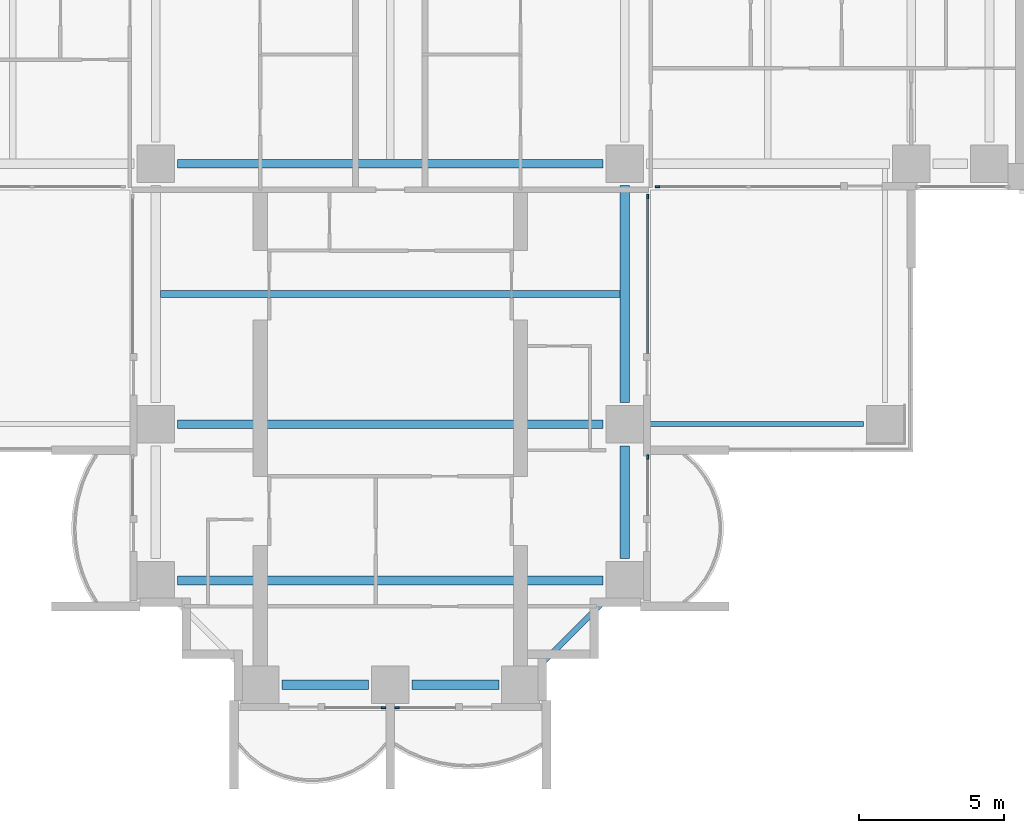
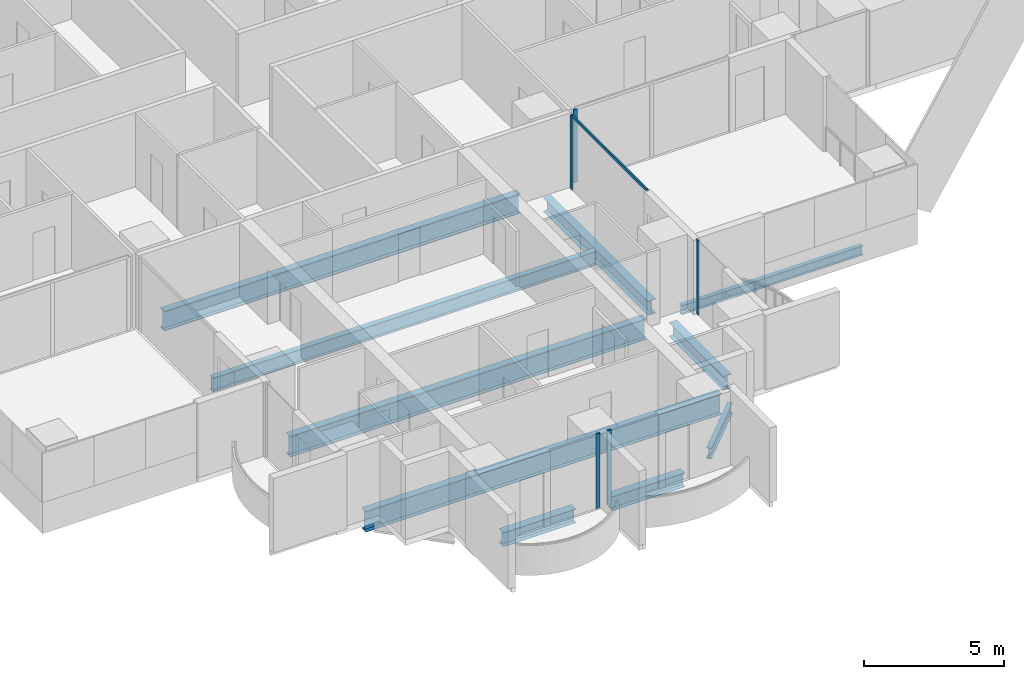
# One storey, part 3 of 23: 10 beams, 6 members, 5 elements without a shape of their own.
"""IFC4 building model written with IfcOpenShell, lengths in metres."""

from ifc_helpers import new_model, si_unit, direction, frame, origin, origin_2d, place, context, subcontext, project, spatial, rectangle, i_section, extrude, material, material_profile, profile_set, type_object, element, aggregate, save


model = new_model("IFC4")

# Units and contexts
model_context = context("Model", 3, precision=1e-05, world=origin(), true_north=direction((0.0, 1.0)))
body_context = subcontext(model_context, "Body", "Model", "MODEL_VIEW")
ifc_project = project(units=[si_unit("LENGTHUNIT", "METRE"), si_unit("AREAUNIT", "SQUARE_METRE"), si_unit("VOLUMEUNIT", "CUBIC_METRE"), si_unit("PLANEANGLEUNIT", "RADIAN"), si_unit("MASSUNIT", "GRAM", prefix="KILO")], contexts=[model_context])

# Site, building, storey
site_placement = place(None, origin())
site = spatial("IfcSite", under=ifc_project, at=site_placement, CompositionType="ELEMENT")
building_placement = place(site_placement, origin())
building = spatial("IfcBuilding", under=site, at=building_placement, Name="Perihelion Cross Residences", CompositionType="ELEMENT")
storey_placement = place(building_placement, frame((0.0, 0.0, 36.5)))
storey = spatial("IfcBuildingStorey", under=building, at=storey_placement, Name="L05", CompositionType="ELEMENT", Elevation=36.5)

# Curtain wall, member
ifc_material_1 = material(Name="Bronze anodised aluminium, tinted glazing", Category="aluminium")
curtain_wall_type = type_object("IfcCurtainWallType", Name="CW1", PredefinedType="NOTDEFINED", material=ifc_material_1)
curtain_wall_1_placement = place(storey_placement, origin())
curtain_wall_1 = element("IfcCurtainWall", 1, at=curtain_wall_1_placement, inside=storey, type_object=curtain_wall_type, Name="Curtain wall CW1 L05 south tip south bay 1", PredefinedType="NOTDEFINED")
ifc_material_2 = material(Name="Bronze anodised aluminium", Category="aluminium")
ifc_material_profile_1 = material_profile(ifc_material_2, rectangle(XDim=0.06005859375, YDim=0.159912109375, at=origin_2d()), Name="CW1 mullion")
ifc_profile_set_1 = profile_set([ifc_material_profile_1], Name="Bronze anodised aluminium")
member_type_1 = type_object("IfcMemberType", Name="CW1 mullion", PredefinedType="MULLION", material=ifc_profile_set_1)
member_1_placement = place(storey_placement, frame((-0.22998046875, -26.89990234375, 0.0), z_axis=(0.0, 0.0, 1.0), x_axis=(0.0, 1.0, 0.0)))
member_1 = element("IfcMember", 2, at=member_1_placement, type_object=member_type_1, Name="CW1 mullion 2", PredefinedType="MULLION", context=body_context, shape_type="SweptSolid", body=[
    extrude(rectangle(XDim=0.06005859375, YDim=0.159912109375, at=origin_2d()), origin(), (0.0, 0.0, 1.0), 3.25),
])
aggregate(curtain_wall_1, [member_1])

curtain_wall_2_placement = place(storey_placement, origin())
curtain_wall_2 = element("IfcCurtainWall", 3, at=curtain_wall_2_placement, inside=storey, type_object=curtain_wall_type, Name="Curtain wall CW1 L05 south tip south bay 2", PredefinedType="NOTDEFINED")
member_2_placement = place(storey_placement, frame((0.22998046875, -26.89990234375, 0.0), z_axis=(0.0, 0.0, 1.0), x_axis=(0.0, 1.0, 0.0)))
member_2 = element("IfcMember", 4, at=member_2_placement, type_object=member_type_1, Name="CW1 mullion 1", PredefinedType="MULLION", context=body_context, shape_type="SweptSolid", body=[
    extrude(rectangle(XDim=0.06005859375, YDim=0.159912109375, at=origin_2d()), origin(), (0.0, 0.0, 1.0), 3.25),
])
aggregate(curtain_wall_2, [member_2])

curtain_wall_3_placement = place(storey_placement, origin())
curtain_wall_3 = element("IfcCurtainWall", 5, at=curtain_wall_3_placement, inside=storey, type_object=curtain_wall_type, Name="Curtain wall CW1 L05 south side east bay 1", PredefinedType="NOTDEFINED")
member_3_placement = place(storey_placement, frame((8.89990234375, -18.22998046875, 0.0), z_axis=(0.0, 0.0, 1.0), x_axis=(-1.0, 0.0, 0.0)))
member_3 = element("IfcMember", 6, at=member_3_placement, type_object=member_type_1, Name="CW1 mullion 2", PredefinedType="MULLION", context=body_context, shape_type="SweptSolid", body=[
    extrude(rectangle(XDim=0.06005859375, YDim=0.159912109375, at=origin_2d()), origin(), (0.0, 0.0, 1.0), 3.25),
])
aggregate(curtain_wall_3, [member_3])

curtain_wall_4_placement = place(storey_placement, origin())
curtain_wall_4 = element("IfcCurtainWall", 7, at=curtain_wall_4_placement, inside=storey, type_object=curtain_wall_type, Name="Curtain wall CW1 L05 south side east bay 2", PredefinedType="NOTDEFINED")
member_4_placement = place(storey_placement, frame((8.89990234375, -9.22998046875, 0.0), z_axis=(0.0, 0.0, 1.0), x_axis=(-1.0, 0.0, 0.0)))
member_4 = element("IfcMember", 8, at=member_4_placement, type_object=member_type_1, Name="CW1 mullion 2", PredefinedType="MULLION", context=body_context, shape_type="SweptSolid", body=[
    extrude(rectangle(XDim=0.06005859375, YDim=0.159912109375, at=origin_2d()), origin(), (0.0, 0.0, 1.0), 3.18994140625),
])

curtain_wall_5_placement = place(storey_placement, origin())
curtain_wall_5 = element("IfcCurtainWall", 9, at=curtain_wall_5_placement, inside=storey, type_object=curtain_wall_type, Name="Curtain wall CW1 L05 east side south bay 1", PredefinedType="NOTDEFINED")
member_5_placement = place(storey_placement, frame((9.22998046875, -8.89990234375, 0.0), z_axis=(0.0, 0.0, 1.0), x_axis=(0.0, 1.0, 0.0)))
member_5 = element("IfcMember", 10, at=member_5_placement, type_object=member_type_1, Name="CW1 mullion 1", PredefinedType="MULLION", context=body_context, shape_type="SweptSolid", body=[
    extrude(rectangle(XDim=0.06005859375, YDim=0.159912109375, at=origin_2d()), origin(), (0.0, 0.0, 1.0), 3.18994140625),
])
aggregate(curtain_wall_5, [member_5])

# Member
ifc_material_3 = material(Name="Bronze anodised aluminium", Category="aluminium")
ifc_material_profile_2 = material_profile(ifc_material_3, rectangle(XDim=0.06005859375, YDim=0.1201171875, at=origin_2d()), Name="CW1 transom")
ifc_profile_set_2 = profile_set([ifc_material_profile_2], Name="Bronze anodised aluminium")
member_type_2 = type_object("IfcMemberType", Name="CW1 transom", PredefinedType="USERDEFINED", material=ifc_profile_set_2)
member_6_placement = place(storey_placement, frame((8.89990234375, -14.64990234375, 3.219970703125), z_axis=(0.0, 1.0, 0.0), x_axis=(-1.0, 0.0, 0.0)))
member_6 = element("IfcMember", 11, at=member_6_placement, type_object=member_type_2, Name="CW1 head transom", ObjectType="TRANSOM", PredefinedType="USERDEFINED", context=body_context, shape_type="SweptSolid", body=[
    extrude(rectangle(XDim=0.06005859375, YDim=0.1201171875, at=origin_2d()), origin(), (0.0, 0.0, 1.0), 5.419921875),
])

aggregate(curtain_wall_4, [member_4, member_6])

# Beams
ifc_material_4 = material(Name="Steel S355", Category="steel")
ifc_material_profile_3 = material_profile(ifc_material_4, i_section(OverallWidth=0.177978515625, OverallDepth=0.406005859375, WebThickness=0.0078125, FlangeThickness=0.0126953125, at=origin_2d()), Name="W410x60")
ifc_profile_set_3 = profile_set([ifc_material_profile_3], Name="Steel S355")
beam_type_1 = type_object("IfcBeamType", Name="Core edge beam W410x60", PredefinedType="BEAM", material=ifc_profile_set_3)
beam_1_placement = place(storey_placement, frame((8.85009765625, -17.10009765625, -0.452880859375), z_axis=(1.0, 0.0, 0.0), x_axis=(0.0, 1.0, 0.0)))
element("IfcBeam", 12, at=beam_1_placement, inside=storey, type_object=beam_type_1, Name="Core edge beam TB2 L05 corner no. 6", PredefinedType="BEAM", context=body_context, shape_type="SweptSolid", body=[
    extrude(i_section(OverallWidth=0.177978515625, OverallDepth=0.406005859375, WebThickness=0.0078125, FlangeThickness=0.0126953125, at=origin_2d()), origin(), (0.0, 0.0, 1.0), 7.5),
])
ifc_material_5 = material(Name="Steel S355", Category="steel")
ifc_material_profile_4 = material_profile(ifc_material_5, i_section(OverallWidth=0.324951171875, OverallDepth=0.616943359375, WebThickness=0.013916015625, FlangeThickness=0.021484375, at=origin_2d()), Name="W610x174")
ifc_profile_set_4 = profile_set([ifc_material_profile_4], Name="Steel S355")
beam_type_2 = type_object("IfcBeamType", Name="Edge beam W610x174", PredefinedType="SPANDREL", material=ifc_profile_set_4)
for number, where, z_axis, x_axis, name in (
    (13, (-3.75, -26.10009765625, -0.55859375), (1.0, 0.0, 0.0), (0.0, 1.0, 0.0), "Edge beam SB2 L05 no. 4"),
    (14, (0.75, -26.10009765625, -0.55859375), (1.0, 0.0, 0.0), (0.0, 1.0, 0.0), "Edge beam SB2 L05 no. 10"),
):
    element("IfcBeam", number, at=place(storey_placement, frame(where, z_axis=z_axis, x_axis=x_axis)), inside=storey, type_object=beam_type_2, Name=name, PredefinedType="SPANDREL", context=body_context, shape_type="SweptSolid", body=[
        extrude(i_section(OverallWidth=0.324951171875, OverallDepth=0.616943359375, WebThickness=0.013916015625, FlangeThickness=0.021484375, at=origin_2d()), origin(), (0.0, 0.0, 1.0), 3.0),
    ])
beam_2_placement = place(storey_placement, frame((8.10009765625, -21.75, -0.55859375), z_axis=(0.0, 1.0, 0.0), x_axis=(-1.0, 0.0, 0.0)))
element("IfcBeam", 15, at=beam_2_placement, inside=storey, type_object=beam_type_2, Name="Edge beam SB2 L05 no. 17", PredefinedType="SPANDREL", context=body_context, shape_type="SweptSolid", body=[
    extrude(i_section(OverallWidth=0.324951171875, OverallDepth=0.616943359375, WebThickness=0.013916015625, FlangeThickness=0.021484375, at=origin_2d()), origin(), (0.0, 0.0, 1.0), 3.89990234375),
])
beam_3_placement = place(storey_placement, frame((8.10009765625, -16.35009765625, -0.55859375), z_axis=(0.0, 1.0, 0.0), x_axis=(-1.0, 0.0, 0.0)))
element("IfcBeam", 16, at=beam_3_placement, inside=storey, type_object=beam_type_2, Name="Edge beam SB2 L05 no. 16", PredefinedType="SPANDREL", context=body_context, shape_type="SweptSolid", body=[
    extrude(i_section(OverallWidth=0.324951171875, OverallDepth=0.616943359375, WebThickness=0.013916015625, FlangeThickness=0.021484375, at=origin_2d()), origin(), (0.0, 0.0, 1.0), 7.5),
])
ifc_material_6 = material(Name="Steel S355", Category="steel")
ifc_material_profile_5 = material_profile(ifc_material_6, i_section(OverallWidth=0.304931640625, OverallDepth=0.904052734375, WebThickness=0.01513671875, FlangeThickness=0.02001953125, at=origin_2d()), Name="W920x201")
ifc_profile_set_5 = profile_set([ifc_material_profile_5], Name="Steel S355")
beam_type_3 = type_object("IfcBeamType", Name="Floor girder W920x201", PredefinedType="BEAM", material=ifc_profile_set_5)
for number, where, z_axis, x_axis, name in (
    (17, (-7.35009765625, -17.10009765625, -0.701904296875), (1.0, 0.0, 0.0), (0.0, 1.0, 0.0), "Girder G2 L05 no. 3"),
    (18, (-7.35009765625, -22.5, -0.701904296875), (1.0, 0.0, 0.0), (0.0, 1.0, 0.0), "Girder G2 L05 no. 4"),
):
    element("IfcBeam", number, at=place(storey_placement, frame(where, z_axis=z_axis, x_axis=x_axis)), inside=storey, type_object=beam_type_3, Name=name, PredefinedType="BEAM", context=body_context, shape_type="SweptSolid", body=[
        extrude(i_section(OverallWidth=0.304931640625, OverallDepth=0.904052734375, WebThickness=0.01513671875, FlangeThickness=0.02001953125, at=origin_2d()), origin(), (0.0, 0.0, 1.0), 14.7001953125),
    ])
ifc_material_7 = material(Name="Steel S355", Category="steel")
ifc_material_profile_6 = material_profile(ifc_material_7, i_section(OverallWidth=0.22900390625, OverallDepth=0.612060546875, WebThickness=0.011962890625, FlangeThickness=0.01953125, at=origin_2d()), Name="W610x125")
ifc_profile_set_6 = profile_set([ifc_material_profile_6], Name="Steel S355")
beam_type_4 = type_object("IfcBeamType", Name="Floor joist W610x125", PredefinedType="JOIST", material=ifc_profile_set_6)
beam_4_placement = place(storey_placement, frame((-7.9375, -12.60009765625, -0.555908203125), z_axis=(1.0, 0.0, 0.0), x_axis=(0.0, 1.0, 0.0)))
element("IfcBeam", 19, at=beam_4_placement, inside=storey, type_object=beam_type_4, Name="Joist J3 L05 no. 3", PredefinedType="JOIST", context=body_context, shape_type="SweptSolid", body=[
    extrude(i_section(OverallWidth=0.22900390625, OverallDepth=0.612060546875, WebThickness=0.011962890625, FlangeThickness=0.01953125, at=origin_2d()), origin(), (0.0, 0.0, 1.0), 15.875),
])
ifc_material_8 = material(Name="Steel S355", Category="steel")
ifc_material_profile_7 = material_profile(ifc_material_8, i_section(OverallWidth=0.2919921875, OverallDepth=0.85888671875, WebThickness=0.01708984375, FlangeThickness=0.031005859375, at=origin_2d()), Name="W840x251")
ifc_profile_set_7 = profile_set([ifc_material_profile_7], Name="Steel S355")
beam_type_5 = type_object("IfcBeamType", Name="Hub ring girder W840x251", PredefinedType="BEAM", material=ifc_profile_set_7)
beam_5_placement = place(storey_placement, frame((-7.35009765625, -8.10009765625, -0.679443359375), z_axis=(1.0, 0.0, 0.0), x_axis=(0.0, 1.0, 0.0)))
element("IfcBeam", 20, at=beam_5_placement, inside=storey, type_object=beam_type_5, Name="Hub ring girder RG2 L05 no. 1", PredefinedType="BEAM", context=body_context, shape_type="SweptSolid", body=[
    extrude(i_section(OverallWidth=0.2919921875, OverallDepth=0.85888671875, WebThickness=0.01708984375, FlangeThickness=0.031005859375, at=origin_2d()), origin(), (0.0, 0.0, 1.0), 14.7001953125),
])
ifc_material_9 = material(Name="Steel S355", Category="steel")
ifc_material_profile_8 = material_profile(ifc_material_9, i_section(OverallWidth=0.194091796875, OverallDepth=0.469970703125, WebThickness=0.0126953125, FlangeThickness=0.0205078125, at=origin_2d()), Name="W460x106")
ifc_profile_set_8 = profile_set([ifc_material_profile_8], Name="Steel S355")
beam_type_6 = type_object("IfcBeamType", Name="Serration edge beam W460x106", PredefinedType="BEAM", material=ifc_profile_set_8)
beam_6_placement = place(storey_placement, frame((5.25, -25.35009765625, -0.485107421875), z_axis=(0.707106781187, 0.707106781187, 0.0), x_axis=(-0.707106781187, 0.707106781187, 0.0)))
element("IfcBeam", 21, at=beam_6_placement, inside=storey, type_object=beam_type_6, Name="Serration edge beam EB2 L05 no. 3", PredefinedType="BEAM", context=body_context, shape_type="SweptSolid", body=[
    extrude(i_section(OverallWidth=0.194091796875, OverallDepth=0.469970703125, WebThickness=0.0126953125, FlangeThickness=0.0205078125, at=origin_2d()), origin(), (0.0, 0.0, 1.0), 2.969970703125),
])

save(model, "model.ifc")
